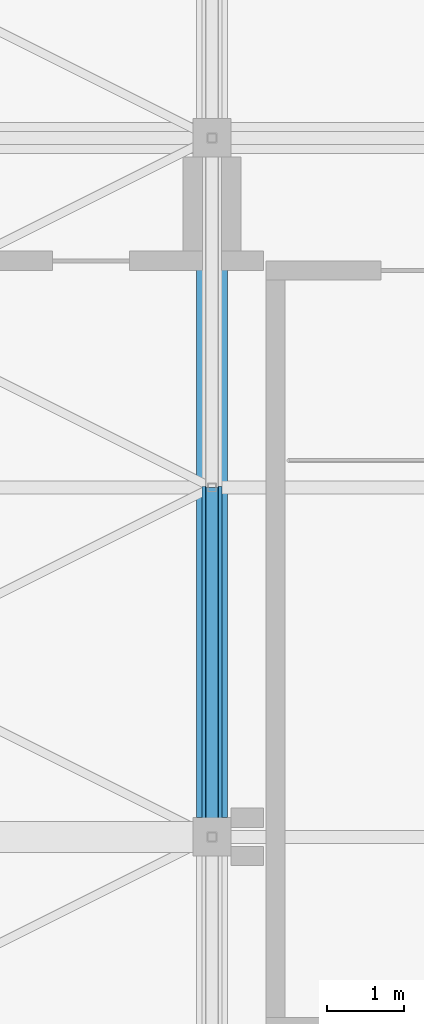
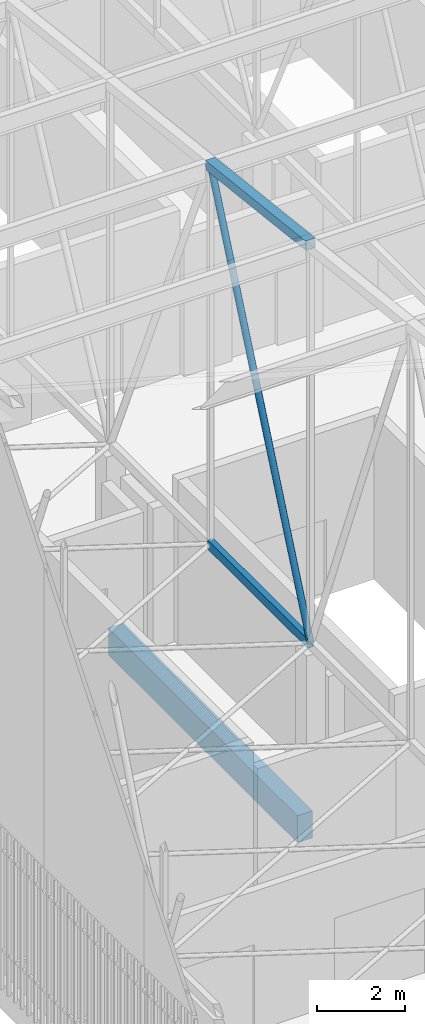
# One storey, part 189 of 500: 3 members, 1 beam.
"""IFC4 building model written with IfcOpenShell, lengths in metres."""

import ifcopenshell
import ifcopenshell.guid

model = None  # the IFC model being written
_history = None  # IfcOwnerHistory: only IFC2X3 demands one
_inside = {}  # id of a spatial element -> (the spatial element, [elements in it])
_under = {}  # id of a project, library or spatial element -> (it, [spatial elements below it])
_declared = {}  # id of a project -> (the project, [libraries it declares])
_typed = {}  # id of a type object -> (the type object, [elements of that type])
_made_of = {}  # id of a material, layer set ... -> (it, [elements and type objects made of it])


def new_model(schema):
    """Start an empty IFC model of exactly this schema.

    Asked for "IFC4X3", IfcOpenShell would pick the latest addendum, in which some entities
    have other attributes; the version numbers below select the first issue.
    IFC2X3 requires an IfcOwnerHistory on every rooted entity: one is made here for all.
    """
    global model, _history
    if schema == "IFC4X3":
        model = ifcopenshell.file(schema_version=(4, 3, 0, 0))
    else:
        model = ifcopenshell.file(schema=schema)
    _inside.clear()
    _under.clear()
    _declared.clear()
    _typed.clear()
    _made_of.clear()
    _history = None
    if model.schema == "IFC2X3":
        org = make("IfcOrganization", Name="unknown")
        user = make(
            "IfcPersonAndOrganization",
            ThePerson=make("IfcPerson", FamilyName="unknown"),
            TheOrganization=org,
        )
        app = make(
            "IfcApplication",
            ApplicationDeveloper=org,
            Version="unknown",
            ApplicationFullName="unknown",
            ApplicationIdentifier="unknown",
        )
        _history = make(
            "IfcOwnerHistory",
            OwningUser=user,
            OwningApplication=app,
            ChangeAction="ADDED",
            CreationDate=0,
        )
    return model


def make(cls, **values):
    """One entity of the class cls with the attributes given. An attribute that is None is left unset."""
    return model.create_entity(
        cls, **{name: value for name, value in values.items() if value is not None}
    )


def rooted(cls, **values):
    """An entity with a GlobalId (a new one), such as an element, a storey or a relation."""
    return make(cls, GlobalId=ifcopenshell.guid.new(), OwnerHistory=_history, **values)


def si_unit(unit_type, name, prefix=None):
    """IfcSIUnit, for example si_unit("LENGTHUNIT", "METRE", prefix="MILLI")."""
    return make("IfcSIUnit", UnitType=unit_type, Prefix=prefix, Name=name)


def assignment(units):
    """IfcUnitAssignment: the units of a project."""
    return None if units is None else make("IfcUnitAssignment", Units=units)


def point(xyz):
    """IfcCartesianPoint."""
    return None if xyz is None else make("IfcCartesianPoint", Coordinates=xyz)


def direction(xyz):
    """IfcDirection."""
    return None if xyz is None else make("IfcDirection", DirectionRatios=xyz)


def frame(location, z_axis=None, x_axis=None):
    """IfcAxis2Placement3D, a coordinate frame: its origin and axes. An axis left out is left unset."""
    return make(
        "IfcAxis2Placement3D",
        Location=point(location),
        Axis=direction(z_axis),
        RefDirection=direction(x_axis),
    )


def frame_2d(location, x_axis=None):
    """IfcAxis2Placement2D, a coordinate frame in the plane: its origin and x axis."""
    return make(
        "IfcAxis2Placement2D", Location=point(location), RefDirection=direction(x_axis)
    )


def origin():
    """The frame at (0, 0, 0) with its axes left unset."""
    return frame((0.0, 0.0, 0.0))


def origin_2d():
    """The frame at (0, 0) in the plane with its x axis left unset."""
    return frame_2d((0.0, 0.0))


def place(relative_to, where):
    """IfcLocalPlacement: puts the frame where relative to a parent placement (None: the world)."""
    return make(
        "IfcLocalPlacement", PlacementRelTo=relative_to, RelativePlacement=where
    )


def context(
    kind, dimensions, precision=None, world=None, true_north=None, identifier=None
):
    """IfcGeometricRepresentationContext, for example the 3D "Model" context."""
    return make(
        "IfcGeometricRepresentationContext",
        ContextIdentifier=identifier,
        ContextType=kind,
        CoordinateSpaceDimension=dimensions,
        Precision=precision,
        WorldCoordinateSystem=world,
        TrueNorth=true_north,
    )


def subcontext(parent, identifier, kind, view, scale=None):
    """IfcGeometricRepresentationSubContext, for example "Body" below "Model"."""
    return make(
        "IfcGeometricRepresentationSubContext",
        ContextIdentifier=identifier,
        ContextType=kind,
        ParentContext=parent,
        TargetScale=scale,
        TargetView=view,
    )


def project(units=None, contexts=None):
    """IfcProject with its units and contexts."""
    return rooted(
        "IfcProject",
        Name="project",
        RepresentationContexts=contexts,
        UnitsInContext=assignment(units),
    )


def spatial(cls, under=None, at=None, **own):
    """A site, building, storey or space (cls), placed at a placement, below another one or the project."""
    s = rooted(cls, ObjectPlacement=at, **own)
    if under is not None:
        _under.setdefault(under.id(), (under, []))[1].append(s)
    return s


def profile(cls, at=None, kind="AREA", **sizes):
    """A parametric profile (cls). Its sizes go by their IFC names, for example OverallWidth=200.0."""
    return make(cls, ProfileType=kind, Position=at, **sizes)


def rectangle(**sizes):
    """IfcRectangleProfileDef."""
    return profile("IfcRectangleProfileDef", **sizes)


def hollow_rectangle(**sizes):
    """IfcRectangleHollowProfileDef."""
    return profile("IfcRectangleHollowProfileDef", **sizes)


def hollow_circle(**sizes):
    """IfcCircleHollowProfileDef."""
    return profile("IfcCircleHollowProfileDef", **sizes)


def extrude(swept, where, along, depth):
    """IfcExtrudedAreaSolid: the profile swept, set in the frame where, extruded along a direction by depth."""
    return make(
        "IfcExtrudedAreaSolid",
        SweptArea=swept,
        Position=where,
        ExtrudedDirection=direction(along),
        Depth=depth,
    )


def shape(context_of_items, identifier, shape_type, items):
    """IfcShapeRepresentation: the items that make up one representation, for example the "Body"."""
    return make(
        "IfcShapeRepresentation",
        ContextOfItems=context_of_items,
        RepresentationIdentifier=identifier,
        RepresentationType=shape_type,
        Items=items,
    )


def material(Name=None, Category=None):
    """IfcMaterial."""
    return make("IfcMaterial", Name=Name, Category=Category)


def material_profile(
    of_material, cross_section, Name=None, Category=None, Priority=None
):
    """IfcMaterialProfile: a cross section and its material."""
    return make(
        "IfcMaterialProfile",
        Name=Name,
        Material=of_material,
        Profile=cross_section,
        Priority=Priority,
        Category=Category,
    )


def profile_set(profiles, Name=None, composite=None):
    """IfcMaterialProfileSet."""
    return make(
        "IfcMaterialProfileSet",
        Name=Name,
        MaterialProfiles=profiles,
        CompositeProfile=composite,
    )


def made_of(thing, what):
    """Note that an element or type object is made of a material, layer set ...; save() writes the relation."""
    if what is not None:
        _made_of.setdefault(what.id(), (what, []))[1].append(thing)
    return thing


def type_object(cls, material=None, **own):
    """A type object (cls), such as IfcWallType, which elements share."""
    return made_of(rooted(cls, **own), material)


def element(
    cls,
    number,
    at=None,
    inside=None,
    cuts=None,
    type_object=None,
    material=None,
    context=None,
    identifier="Body",
    shape_type=None,
    held_by="IfcProductDefinitionShape",
    body=None,
    shapes=None,
    **own,
):
    """One element of the class cls, such as IfcWall. Its Tag is "e" and its number.

    at: its placement. inside: the storey or other place that contains it. cuts: it is an
    opening in that element (IfcRelVoidsElement). A single representation is given by context,
    identifier, shape_type and body (its items); several are given by shapes. held_by: the class
    of the entity that holds the representations. save() writes the other relations.
    """
    e = rooted(cls, Tag="e%d" % number, ObjectPlacement=at, **own)
    if body is not None:
        shapes = [shape(context, identifier, shape_type, body)]
    if shapes is not None:
        e.Representation = make(held_by, Representations=shapes)
    if inside is not None:
        _inside.setdefault(inside.id(), (inside, []))[1].append(e)
    if cuts is not None:
        rooted(
            "IfcRelVoidsElement", RelatingBuildingElement=cuts, RelatedOpeningElement=e
        )
    if type_object is not None:
        _typed.setdefault(type_object.id(), (type_object, []))[1].append(e)
    return made_of(e, material)


def aggregate(whole, parts):
    """IfcRelAggregates: a whole, such as a stair, and the parts it consists of."""
    return rooted("IfcRelAggregates", RelatingObject=whole, RelatedObjects=parts)


def save(model, path):
    """Write the relations noted so far, then the file.

    IfcRelAggregates (storeys below a building ...), IfcRelContainedInSpatialStructure (elements
    in a storey), IfcRelDefinesByType, IfcRelAssociatesMaterial and IfcRelDeclares: one each for
    every whole, place, type object, material and project.
    """
    for whole, parts in _under.values():
        aggregate(whole, parts)
    for where, things in _inside.values():
        rooted(
            "IfcRelContainedInSpatialStructure",
            RelatedElements=things,
            RelatingStructure=where,
        )
    for kind, things in _typed.values():
        rooted("IfcRelDefinesByType", RelatedObjects=things, RelatingType=kind)
    for what, things in _made_of.values():
        rooted("IfcRelAssociatesMaterial", RelatedObjects=things, RelatingMaterial=what)
    for by, libraries in _declared.values():
        rooted("IfcRelDeclares", RelatingContext=by, RelatedDefinitions=libraries)
    model.write(path)


model = new_model("IFC4")

# Units and contexts
model_context = context("Model", 3, precision=1e-05, world=origin(), true_north=direction((0.0, 1.0)))
body_context = subcontext(model_context, "Body", "Model", "MODEL_VIEW")
ifc_project = project(units=[si_unit("LENGTHUNIT", "METRE"), si_unit("AREAUNIT", "SQUARE_METRE"), si_unit("VOLUMEUNIT", "CUBIC_METRE"), si_unit("PLANEANGLEUNIT", "RADIAN"), si_unit("MASSUNIT", "GRAM", prefix="KILO")], contexts=[model_context])

# Site, building, storey
site_placement = place(None, origin())
site = spatial("IfcSite", under=ifc_project, at=site_placement, CompositionType="ELEMENT")
building_placement = place(site_placement, origin())
building = spatial("IfcBuilding", under=site, at=building_placement, Name="Shirokan Park Arena", CompositionType="ELEMENT")
storey_placement = place(building_placement, frame((0.0, 0.0, 29.1201171875)))
storey = spatial("IfcBuildingStorey", under=building, at=storey_placement, Name="L06", CompositionType="ELEMENT", Elevation=29.1201171875)

# Member
ifc_material_1 = material(Name="Steel ASTM A500 Grade C", Category="steel")
ifc_material_profile_1 = material_profile(ifc_material_1, hollow_rectangle(XDim=0.152099609375, YDim=0.25390625, WallThickness=0.009521484375, at=origin_2d()), Name="HSS254X152.4X9.5")
ifc_profile_set_1 = profile_set([ifc_material_profile_1], Name="Steel ASTM A500 Grade C")
member_type_1 = type_object("IfcMemberType", Name="Bottom chord HSS254X152.4X9.5", PredefinedType="CHORD", material=ifc_profile_set_1)
member_1_placement = place(storey_placement, frame((9.10009765625, 81.89990234375, 4.677001953125), z_axis=(0.0, 1.0, 0.0), x_axis=(-1.0, 0.0, 0.0)))
element("IfcMember", 1, at=member_1_placement, inside=storey, type_object=member_type_1, Name="Truss T02 bottom chord 21", PredefinedType="CHORD", context=body_context, shape_type="SweptSolid", body=[
    extrude(hollow_rectangle(XDim=0.152099609375, YDim=0.25390625, WallThickness=0.009521484375, at=origin_2d()), origin(), (0.0, 0.0, 1.0), 4.550048828125),
])

# Beam
ifc_material_2 = material(Name="Concrete C35", Category="concrete")
ifc_material_profile_2 = material_profile(ifc_material_2, rectangle(XDim=0.39990234375, YDim=0.75, at=origin_2d()), Name="400x750")
ifc_profile_set_2 = profile_set([ifc_material_profile_2], Name="Concrete C35")
beam_type = type_object("IfcBeamType", Name="RC girder 400x750", PredefinedType="BEAM", material=ifc_profile_set_2)
beam_placement = place(storey_placement, frame((9.10009765625, 82.150146484375, -0.5751953125), z_axis=(0.0, 1.0, 0.0), x_axis=(-1.0, 0.0, 0.0)))
element("IfcBeam", 2, at=beam_placement, inside=storey, type_object=beam_type, Name="Girder 2K-2L L06", PredefinedType="BEAM", context=body_context, shape_type="SweptSolid", body=[
    extrude(rectangle(XDim=0.39990234375, YDim=0.75, at=origin_2d()), origin(), (0.0, 0.0, 1.0), 8.599853515625),
])

# Members
ifc_material_profile_3 = material_profile(ifc_material_1, hollow_rectangle(XDim=0.25390625, YDim=0.25390625, WallThickness=0.009521484375, at=origin_2d()), Name="HSS254X254X9.5")
ifc_profile_set_3 = profile_set([ifc_material_profile_3], Name="Steel ASTM A500 Grade C")
member_type_2 = type_object("IfcMemberType", Name="Top chord HSS254X254X9.5", PredefinedType="CHORD", material=ifc_profile_set_3)
member_2_placement = place(storey_placement, frame((9.10009765625, 81.89990234375, 15.742919921875), z_axis=(0.0, 0.993532328996, -0.113549598152), x_axis=(-1.0, 0.0, 0.0)))
element("IfcMember", 3, at=member_2_placement, inside=storey, type_object=member_type_2, Name="Truss T02 top chord 21", PredefinedType="CHORD", context=body_context, shape_type="SweptSolid", body=[
    extrude(hollow_rectangle(XDim=0.25390625, YDim=0.25390625, WallThickness=0.009521484375, at=origin_2d()), origin(), (0.0, 0.0, 1.0), 4.57958984375),
])
ifc_material_profile_4 = material_profile(ifc_material_1, hollow_circle(Radius=0.083984375, WallThickness=0.009521484375, at=origin_2d()), Name="HSS168.3X9.5")
ifc_profile_set_4 = profile_set([ifc_material_profile_4], Name="Steel ASTM A500 Grade C")
member_type_3 = type_object("IfcMemberType", Name="Truss diagonal HSS168.3X9.5", PredefinedType="BRACE", material=ifc_profile_set_4)
member_3_placement = place(storey_placement, frame((9.10009765625, 81.89990234375, 4.677001953125), z_axis=(0.0, 0.396152605513, 0.918184683572), x_axis=(-1.0, 0.0, 0.0)))
element("IfcMember", 4, at=member_3_placement, inside=storey, type_object=member_type_3, Name="Truss T02 diagonal 21", PredefinedType="BRACE", context=body_context, shape_type="SweptSolid", body=[
    extrude(hollow_circle(Radius=0.083984375, WallThickness=0.009521484375, at=origin_2d()), origin(), (0.0, 0.0, 1.0), 11.485595703125),
])

save(model, "model.ifc")
